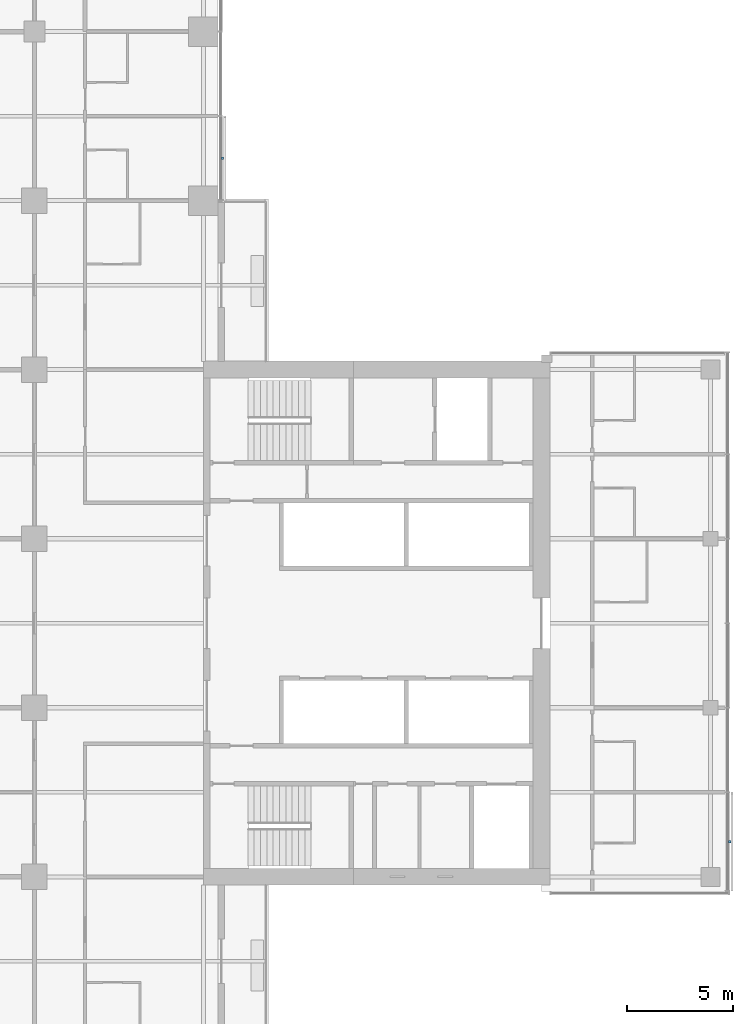
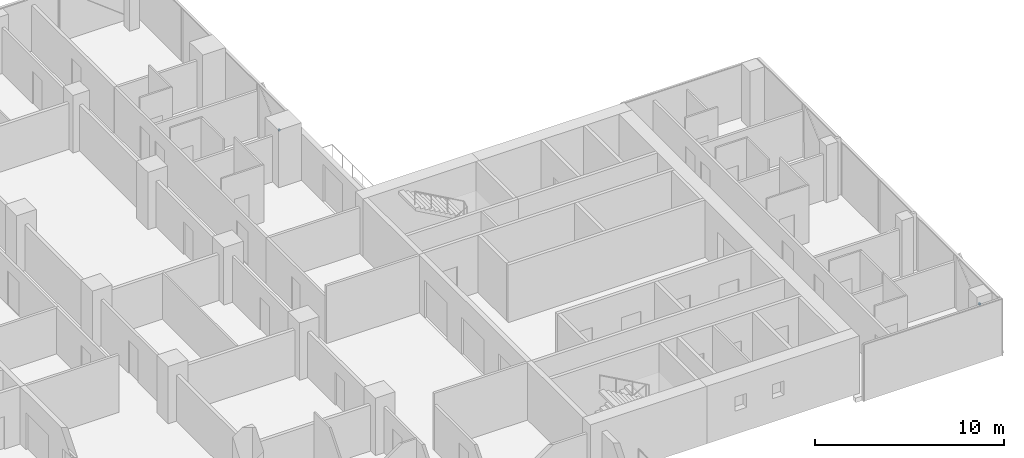
# One storey, part 25 of 27: 2 discrete accessories.
"""IFC4 building model written with IfcOpenShell, lengths in metres."""

from ifc_helpers import new_model, si_unit, direction, frame, origin, origin_2d, place, context, subcontext, project, spatial, rectangle, extrude, material, type_object, element, save


model = new_model("IFC4")

# Units and contexts
model_context = context("Model", 3, precision=1e-05, world=origin(), true_north=direction((0.0, 1.0)))
body_context = subcontext(model_context, "Body", "Model", "MODEL_VIEW")
ifc_project = project(units=[si_unit("LENGTHUNIT", "METRE"), si_unit("AREAUNIT", "SQUARE_METRE"), si_unit("VOLUMEUNIT", "CUBIC_METRE"), si_unit("PLANEANGLEUNIT", "RADIAN"), si_unit("MASSUNIT", "GRAM", prefix="KILO")], contexts=[model_context])

# Site, building, storey
site_placement = place(None, origin())
site = spatial("IfcSite", under=ifc_project, at=site_placement, CompositionType="ELEMENT")
building_placement = place(site_placement, origin())
building = spatial("IfcBuilding", under=site, at=building_placement, Name="Crosswind Convention Tower", CompositionType="ELEMENT")
storey_placement = place(building_placement, frame((0.0, 0.0, 68.300048828125)))
storey = spatial("IfcBuildingStorey", under=building, at=storey_placement, Name="L11", CompositionType="ELEMENT", Elevation=68.300048828125)

# Discrete accessories
ifc_material = material(Name="Stainless steel", Category="steel")
discrete_accessory_type = type_object("IfcDiscreteAccessoryType", Name="BAGUETTE BRACKET BK2", PredefinedType="BRACKET", material=ifc_material)
for number, where, z_axis, x_axis, name in (
    (1, (161.907958984375, 89.666259765625, 1.477294921875), (0.0, 0.0, 1.0), (0.0, 1.0, 0.0), "BK2 baguette bracket"),
    (2, (137.907958984375, 122.0, 1.477294921875), (0.0, 0.0, 1.0), (0.0, 1.0, 0.0), "BK2 baguette bracket"),
):
    element("IfcDiscreteAccessory", number, at=place(storey_placement, frame(where, z_axis=z_axis, x_axis=x_axis)), inside=storey, type_object=discrete_accessory_type, Name=name, PredefinedType="BRACKET", context=body_context, shape_type="SweptSolid", body=[
        extrude(rectangle(XDim=0.1201171875, YDim=0.10009765625, at=origin_2d()), origin(), (0.0, 0.0, 1.0), 0.1201171875),
    ])

save(model, "model.ifc")
